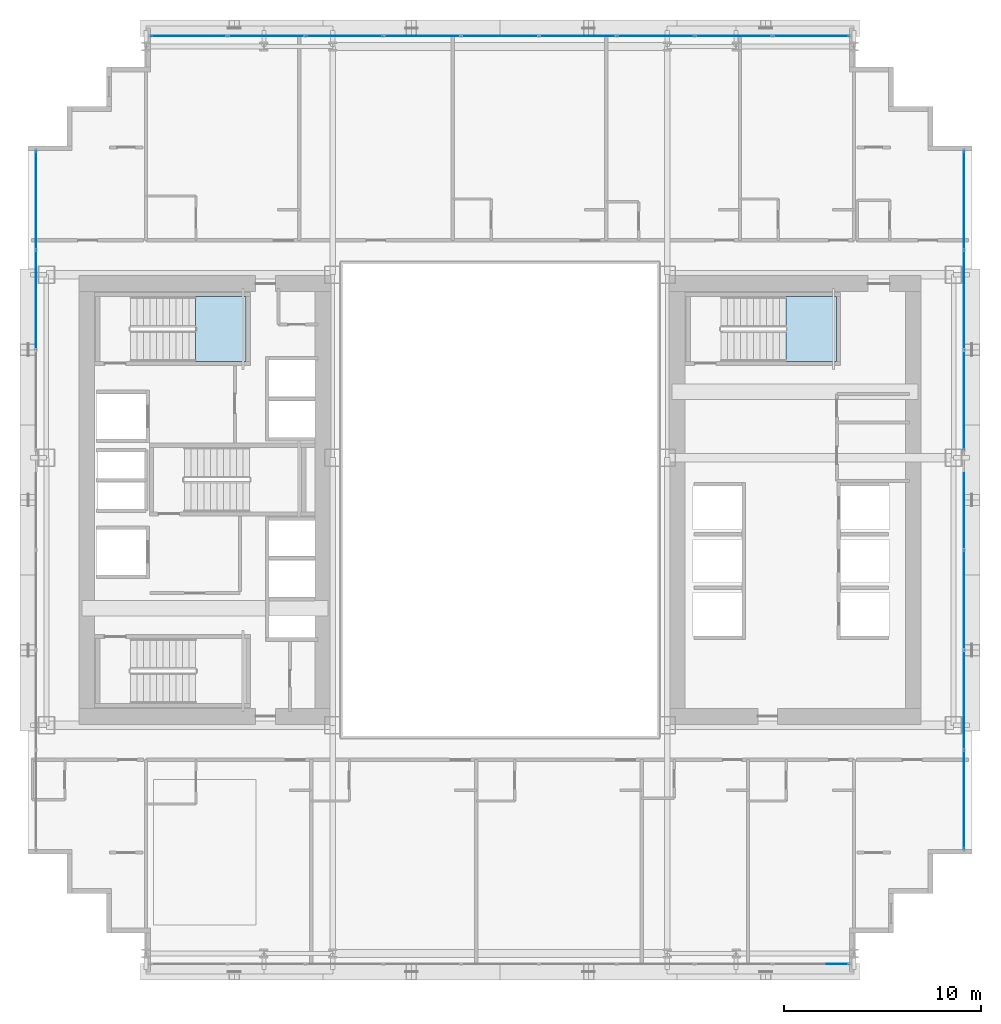
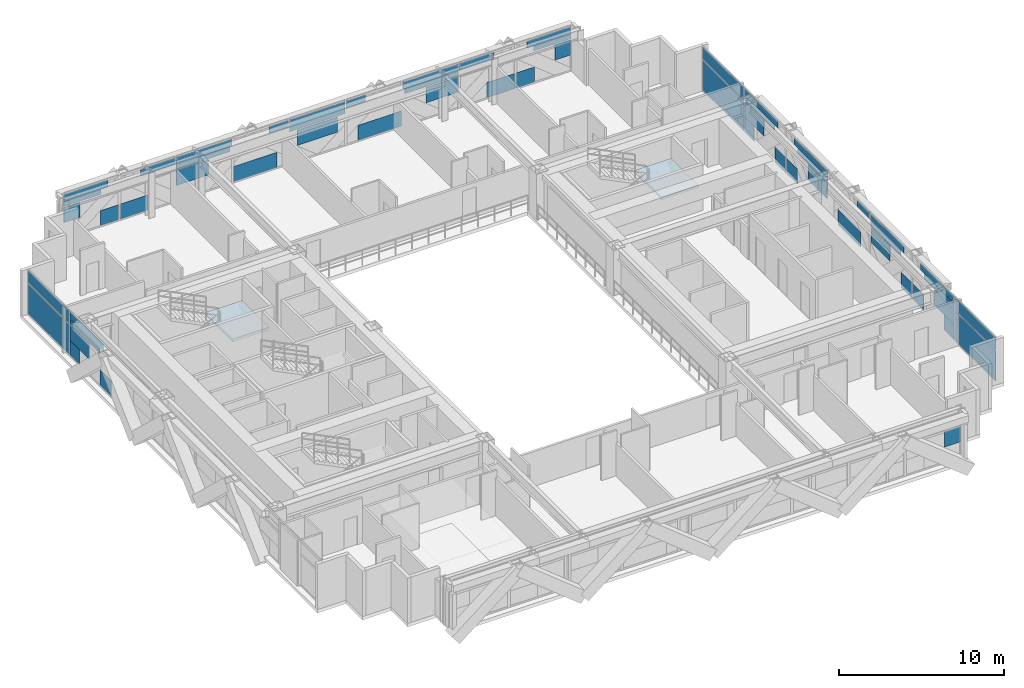
# One storey, part 24 of 35: 56 plates, 2 slabs, 6 elements without a shape of their own.
"""IFC4 building model written with IfcOpenShell, lengths in metres."""

from ifc_helpers import new_model, si_unit, direction, frame, origin, origin_2d, place, context, subcontext, project, spatial, polyline, rectangle, outline, extrude, source, transform, mapped, material, layer, layer_set, type_object, element, aggregate, save


model = new_model("IFC4")

# Units and contexts
model_context = context("Model", 3, precision=1e-05, world=origin(), true_north=direction((0.0, 1.0)))
body_context = subcontext(model_context, "Body", "Model", "MODEL_VIEW")
ifc_project = project(units=[si_unit("LENGTHUNIT", "METRE"), si_unit("AREAUNIT", "SQUARE_METRE"), si_unit("VOLUMEUNIT", "CUBIC_METRE"), si_unit("PLANEANGLEUNIT", "RADIAN"), si_unit("MASSUNIT", "GRAM", prefix="KILO")], contexts=[model_context])

# Site, building, storey
site_placement = place(None, origin())
site = spatial("IfcSite", under=ifc_project, at=site_placement, CompositionType="ELEMENT")
building_placement = place(site_placement, origin())
building = spatial("IfcBuilding", under=site, at=building_placement, Name="Ocotamira Hotel", CompositionType="ELEMENT")
storey_placement = place(building_placement, frame((0.0, 0.0, 63.60009765625)))
storey = spatial("IfcBuildingStorey", under=building, at=storey_placement, Name="L15", CompositionType="ELEMENT", Elevation=63.60009765625)

# Stair, slab
ifc_material_1 = material(Name="Concrete C40/50", Category="concrete")
stair_type = type_object("IfcStairType", Name="ST-CORE-1560", PredefinedType="HALF_TURN_STAIR", material=ifc_material_1)
stair_1_placement = place(storey_placement, origin())
stair_1 = element("IfcStair", 1, at=stair_1_placement, inside=storey, type_object=stair_type, Name="L15 Exit Stair ST-2", PredefinedType="HALF_TURN_STAIR")
ifc_layer_1 = layer(ifc_material_1, 0.199951171875)
ifc_layer_set_1 = layer_set([ifc_layer_1], Name="Concrete C40/50")
slab_type = type_object("IfcSlabType", Name="SLB-LAND-200", PredefinedType="LANDING", material=ifc_layer_set_1)
slab_1_placement = place(storey_placement, frame((0.0, 0.0, 1.599853515625)))
slab_1 = element("IfcSlab", 2, at=slab_1_placement, type_object=slab_type, Name="ST-2 landing 1", PredefinedType="LANDING", context=body_context, shape_type="SweptSolid", body=[
    extrude(outline(polyline([(16.530029296875, 33.050048828125), (19.090087890625, 33.050048828125), (19.090087890625, 36.330078125), (16.530029296875, 36.330078125), (16.530029296875, 33.050048828125)])), origin(), (0.0, 0.0, 1.0), 0.199951171875),
])
aggregate(stair_1, [slab_1])

stair_2_placement = place(storey_placement, origin())
stair_2 = element("IfcStair", 3, at=stair_2_placement, inside=storey, type_object=stair_type, Name="L15 Exit Stair ST-4", PredefinedType="HALF_TURN_STAIR")
slab_2_placement = place(storey_placement, frame((0.0, 0.0, 1.599853515625)))
slab_2 = element("IfcSlab", 4, at=slab_2_placement, type_object=slab_type, Name="ST-4 landing 1", PredefinedType="LANDING", context=body_context, shape_type="SweptSolid", body=[
    extrude(outline(polyline([(46.530029296875, 33.050048828125), (49.090087890625, 33.050048828125), (49.090087890625, 36.330078125), (46.530029296875, 36.330078125), (46.530029296875, 33.050048828125)])), origin(), (0.0, 0.0, 1.0), 0.199951171875),
])
aggregate(stair_2, [slab_2])

# Curtain wall, plate
ifc_material_2 = material(Name="Anodised pale-metal aluminium and solar glass", Category="aluminium")
ifc_layer_2 = layer(ifc_material_2, 0.179931640625)
ifc_layer_set_2 = layer_set([ifc_layer_2], Name="Anodised pale-metal aluminium and solar glass")
curtain_wall_type = type_object("IfcCurtainWallType", Name="CW-SYS2-Z1", PredefinedType="NOTDEFINED", material=ifc_layer_set_2)
curtain_wall_1_placement = place(storey_placement, origin())
curtain_wall_1 = element("IfcCurtainWall", 5, at=curtain_wall_1_placement, inside=storey, type_object=curtain_wall_type, Name="L15 Curtain Wall CW-2 CW-L15-S1", PredefinedType="NOTDEFINED")
ifc_material_3 = material(Name="Double-silver low-E insulated solar glass", Category="glass")
ifc_layer_3 = layer(ifc_material_3, 0.031982421875)
ifc_layer_set_3 = layer_set([ifc_layer_3], Name="Double-silver low-E insulated solar glass")
plate_type = type_object("IfcPlateType", Name="CWP-VISION-32", PredefinedType="CURTAIN_PANEL", material=ifc_layer_set_3)
shared_shape_1 = source(origin(), body_context, "Body", "SweptSolid", [
    extrude(rectangle(XDim=1.11669921875, YDim=0.031982421875, at=origin_2d()), origin(), (0.0, 0.0, 1.0), 1.11865234375),
])
plate_1_placement = place(storey_placement, frame((49.16162109375, 2.419921875, 1.193603515625), z_axis=(0.0, 0.0, 1.0), x_axis=(1.0, 0.0, 0.0)))
plate_1 = element("IfcPlate", 6, at=plate_1_placement, type_object=plate_type, Name="CW-2 panel 9.1.2", PredefinedType="CURTAIN_PANEL", context=body_context, shape_type="MappedRepresentation", body=[
    mapped(shared_shape_1, transform((0.0, 0.0, 0.0), scale=1.0)),
])
aggregate(curtain_wall_1, [plate_1])

# Curtain wall, plates
curtain_wall_2_placement = place(storey_placement, origin())
curtain_wall_2 = element("IfcCurtainWall", 7, at=curtain_wall_2_placement, inside=storey, type_object=curtain_wall_type, Name="L15 Curtain Wall CW-2 CW-L15-N", PredefinedType="NOTDEFINED")
plate_2_placement = place(storey_placement, frame((14.83837890625, 49.580078125, 1.193603515625), z_axis=(0.0, 0.0, 1.0), x_axis=(1.0, 0.0, 0.0)))
plate_2 = element("IfcPlate", 8, at=plate_2_placement, type_object=plate_type, Name="CW-2 panel 1.1.1", PredefinedType="CURTAIN_PANEL", context=body_context, shape_type="MappedRepresentation", body=[
    mapped(shared_shape_1, transform((0.0, 0.0, 0.0), scale=1.0)),
])
plate_3_placement = place(storey_placement, frame((49.16162109375, 49.580078125, 1.193603515625), z_axis=(0.0, 0.0, 1.0), x_axis=(1.0, 0.0, 0.0)))
plate_3 = element("IfcPlate", 9, at=plate_3_placement, type_object=plate_type, Name="CW-2 panel 9.1.2", PredefinedType="CURTAIN_PANEL", context=body_context, shape_type="MappedRepresentation", body=[
    mapped(shared_shape_1, transform((0.0, 0.0, 0.0), scale=1.0)),
])
shared_shape_2 = source(origin(), body_context, "Body", "SweptSolid", [
    extrude(rectangle(XDim=2.60888671875, YDim=0.031982421875, at=origin_2d()), origin(), (0.0, 0.0, 1.0), 0.345458984375),
])
plate_4_placement = place(storey_placement, frame((15.58447265625, 49.580078125, 2.38720703125), z_axis=(0.0, 0.0, 1.0), x_axis=(1.0, 0.0, 0.0)))
plate_4 = element("IfcPlate", 10, at=plate_4_placement, type_object=plate_type, Name="CW-2 panel 1.2.1", PredefinedType="CURTAIN_PANEL", context=body_context, shape_type="MappedRepresentation", body=[
    mapped(shared_shape_2, transform((0.0, 0.0, 0.0), scale=1.0)),
])
plate_5_placement = place(storey_placement, frame((48.41552734375, 49.580078125, 2.38720703125), z_axis=(0.0, 0.0, 1.0), x_axis=(1.0, 0.0, 0.0)))
plate_5 = element("IfcPlate", 11, at=plate_5_placement, type_object=plate_type, Name="CW-2 panel 9.2.2", PredefinedType="CURTAIN_PANEL", context=body_context, shape_type="MappedRepresentation", body=[
    mapped(shared_shape_2, transform((0.0, 0.0, 0.0), scale=1.0)),
])
shared_shape_3 = source(origin(), body_context, "Body", "SweptSolid", [
    extrude(rectangle(XDim=3.079833984375, YDim=0.031982421875, at=origin_2d()), origin(), (0.0, 0.0, 1.0), 0.5107421875),
])
plate_6_placement = place(storey_placement, frame((15.820068359375, 49.580078125, 2.76416015625), z_axis=(0.0, 0.0, 1.0), x_axis=(1.0, 0.0, 0.0)))
plate_6 = element("IfcPlate", 12, at=plate_6_placement, type_object=plate_type, Name="CW-2 panel 1.2.2", PredefinedType="CURTAIN_PANEL", context=body_context, shape_type="MappedRepresentation", body=[
    mapped(shared_shape_3, transform((0.0, 0.0, 0.0), scale=1.0)),
])
plate_7_placement = place(storey_placement, frame((48.179931640625, 49.580078125, 2.76416015625), z_axis=(0.0, 0.0, 1.0), x_axis=(1.0, 0.0, 0.0)))
plate_7 = element("IfcPlate", 13, at=plate_7_placement, type_object=plate_type, Name="CW-2 panel 9.2.1", PredefinedType="CURTAIN_PANEL", context=body_context, shape_type="MappedRepresentation", body=[
    mapped(shared_shape_3, transform((0.0, 0.0, 0.0), scale=1.0)),
])
shared_shape_4 = source(origin(), body_context, "Body", "SweptSolid", [
    extrude(rectangle(XDim=2.430908203125, YDim=0.031982421875, at=origin_2d()), origin(), (0.0, 0.0, 1.0), 0.5107421875),
])
plate_8_placement = place(storey_placement, frame((20.855712890625, 49.580078125, 2.76416015625), z_axis=(0.0, 0.0, 1.0), x_axis=(1.0, 0.0, 0.0)))
plate_8 = element("IfcPlate", 14, at=plate_8_placement, type_object=plate_type, Name="CW-2 panel 2.2.1", PredefinedType="CURTAIN_PANEL", context=body_context, shape_type="MappedRepresentation", body=[
    mapped(shared_shape_4, transform((0.0, 0.0, 0.0), scale=1.0)),
])
plate_9_placement = place(storey_placement, frame((43.144287109375, 49.580078125, 2.76416015625), z_axis=(0.0, 0.0, 1.0), x_axis=(1.0, 0.0, 0.0)))
plate_9 = element("IfcPlate", 15, at=plate_9_placement, type_object=plate_type, Name="CW-2 panel 8.2.1", PredefinedType="CURTAIN_PANEL", context=body_context, shape_type="MappedRepresentation", body=[
    mapped(shared_shape_4, transform((0.0, 0.0, 0.0), scale=1.0)),
])
shared_shape_5 = source(origin(), body_context, "Body", "SweptSolid", [
    extrude(rectangle(XDim=2.24560546875, YDim=0.031982421875, at=origin_2d()), origin(), (0.0, 0.0, 1.0), 1.11865234375),
])
plate_10_placement = place(storey_placement, frame((23.27392578125, 49.580078125, 1.193603515625), z_axis=(0.0, 0.0, 1.0), x_axis=(1.0, 0.0, 0.0)))
plate_10 = element("IfcPlate", 16, at=plate_10_placement, type_object=plate_type, Name="CW-2 panel 3.1.1", PredefinedType="CURTAIN_PANEL", context=body_context, shape_type="MappedRepresentation", body=[
    mapped(shared_shape_5, transform((0.0, 0.0, 0.0), scale=1.0)),
])
plate_11_placement = place(storey_placement, frame((40.72607421875, 49.580078125, 1.193603515625), z_axis=(0.0, 0.0, 1.0), x_axis=(1.0, 0.0, 0.0)))
plate_11 = element("IfcPlate", 17, at=plate_11_placement, type_object=plate_type, Name="CW-2 panel 7.1.1", PredefinedType="CURTAIN_PANEL", context=body_context, shape_type="MappedRepresentation", body=[
    mapped(shared_shape_5, transform((0.0, 0.0, 0.0), scale=1.0)),
])
shared_shape_6 = source(origin(), body_context, "Body", "SweptSolid", [
    extrude(rectangle(XDim=3.73779296875, YDim=0.031982421875, at=origin_2d()), origin(), (0.0, 0.0, 1.0), 0.376708984375),
])
plate_12_placement = place(storey_placement, frame((24.02001953125, 49.580078125, 2.38720703125), z_axis=(0.0, 0.0, 1.0), x_axis=(1.0, 0.0, 0.0)))
plate_12 = element("IfcPlate", 18, at=plate_12_placement, type_object=plate_type, Name="CW-2 panel 3.2.1", PredefinedType="CURTAIN_PANEL", context=body_context, shape_type="MappedRepresentation", body=[
    mapped(shared_shape_6, transform((0.0, 0.0, 0.0), scale=1.0)),
])
plate_13_placement = place(storey_placement, frame((39.97998046875, 49.580078125, 2.38720703125), z_axis=(0.0, 0.0, 1.0), x_axis=(1.0, 0.0, 0.0)))
plate_13 = element("IfcPlate", 19, at=plate_13_placement, type_object=plate_type, Name="CW-2 panel 7.2.2", PredefinedType="CURTAIN_PANEL", context=body_context, shape_type="MappedRepresentation", body=[
    mapped(shared_shape_6, transform((0.0, 0.0, 0.0), scale=1.0)),
])
shared_shape_7 = source(origin(), body_context, "Body", "SweptSolid", [
    extrude(rectangle(XDim=3.87548828125, YDim=0.031982421875, at=origin_2d()), origin(), (0.0, 0.0, 1.0), 0.5107421875),
])
plate_14_placement = place(storey_placement, frame((24.0888671875, 49.580078125, 2.76416015625), z_axis=(0.0, 0.0, 1.0), x_axis=(1.0, 0.0, 0.0)))
plate_14 = element("IfcPlate", 20, at=plate_14_placement, type_object=plate_type, Name="CW-2 panel 3.2.2", PredefinedType="CURTAIN_PANEL", context=body_context, shape_type="MappedRepresentation", body=[
    mapped(shared_shape_7, transform((0.0, 0.0, 0.0), scale=1.0)),
])
plate_15_placement = place(storey_placement, frame((39.9111328125, 49.580078125, 2.76416015625), z_axis=(0.0, 0.0, 1.0), x_axis=(1.0, 0.0, 0.0)))
plate_15 = element("IfcPlate", 21, at=plate_15_placement, type_object=plate_type, Name="CW-2 panel 7.2.1", PredefinedType="CURTAIN_PANEL", context=body_context, shape_type="MappedRepresentation", body=[
    mapped(shared_shape_7, transform((0.0, 0.0, 0.0), scale=1.0)),
])
shared_shape_8 = source(origin(), body_context, "Body", "SweptSolid", [
    extrude(rectangle(XDim=1.34228515625, YDim=0.031982421875, at=origin_2d()), origin(), (0.0, 0.0, 1.0), 0.5107421875),
])
plate_16_placement = place(storey_placement, frame((29.31103515625, 49.580078125, 2.76416015625), z_axis=(0.0, 0.0, 1.0), x_axis=(1.0, 0.0, 0.0)))
plate_16 = element("IfcPlate", 22, at=plate_16_placement, type_object=plate_type, Name="CW-2 panel 4.2.1", PredefinedType="CURTAIN_PANEL", context=body_context, shape_type="MappedRepresentation", body=[
    mapped(shared_shape_8, transform((0.0, 0.0, 0.0), scale=1.0)),
])
plate_17_placement = place(storey_placement, frame((34.68896484375, 49.580078125, 2.76416015625), z_axis=(0.0, 0.0, 1.0), x_axis=(1.0, 0.0, 0.0)))
plate_17 = element("IfcPlate", 23, at=plate_17_placement, type_object=plate_type, Name="CW-2 panel 6.2.1", PredefinedType="CURTAIN_PANEL", context=body_context, shape_type="MappedRepresentation", body=[
    mapped(shared_shape_8, transform((0.0, 0.0, 0.0), scale=1.0)),
])
shared_shape_9 = source(origin(), body_context, "Body", "SweptSolid", [
    extrude(rectangle(XDim=2.793701171875, YDim=0.031982421875, at=origin_2d()), origin(), (0.0, 0.0, 1.0), 1.11865234375),
])
plate_18_placement = place(storey_placement, frame((32.0, 49.580078125, 1.193603515625), z_axis=(0.0, 0.0, 1.0), x_axis=(1.0, 0.0, 0.0)))
plate_18 = element("IfcPlate", 24, at=plate_18_placement, type_object=plate_type, Name="CW-2 panel 5.1.1", PredefinedType="CURTAIN_PANEL", context=body_context, shape_type="MappedRepresentation", body=[
    mapped(shared_shape_9, transform((0.0, 0.0, 0.0), scale=1.0)),
])
shared_shape_10 = source(origin(), body_context, "Body", "SweptSolid", [
    extrude(rectangle(XDim=3.87548828125, YDim=0.031982421875, at=origin_2d()), origin(), (0.0, 0.0, 1.0), 0.887451171875),
])
plate_19_placement = place(storey_placement, frame((32.0, 49.580078125, 2.38720703125), z_axis=(0.0, 0.0, 1.0), x_axis=(1.0, 0.0, 0.0)))
plate_19 = element("IfcPlate", 25, at=plate_19_placement, type_object=plate_type, Name="CW-2 panel 5.2", PredefinedType="CURTAIN_PANEL", context=body_context, shape_type="MappedRepresentation", body=[
    mapped(shared_shape_10, transform((0.0, 0.0, 0.0), scale=1.0)),
])

# Curtain wall, plate
curtain_wall_3_placement = place(storey_placement, origin())
curtain_wall_3 = element("IfcCurtainWall", 26, at=curtain_wall_3_placement, inside=storey, type_object=curtain_wall_type, Name="L15 Curtain Wall CW-2 CW-L15-W", PredefinedType="NOTDEFINED")
shared_shape_11 = source(origin(), body_context, "Body", "SweptSolid", [
    extrude(rectangle(XDim=4.9658203125, YDim=0.031982421875, at=origin_2d()), origin(), (0.0, 0.0, 1.0), 2.237548828125),
])
plate_20_placement = place(storey_placement, frame((8.419921875, 41.237060546875, 0.07470703125), z_axis=(0.0, 0.0, 1.0), x_axis=(0.0, 1.0, 0.0)))
plate_20 = element("IfcPlate", 27, at=plate_20_placement, type_object=plate_type, Name="CW-2 panel 7.1", PredefinedType="CURTAIN_PANEL", context=body_context, shape_type="MappedRepresentation", body=[
    mapped(shared_shape_11, transform((0.0, 0.0, 0.0), scale=1.0)),
])

# Curtain wall, plates
curtain_wall_4_placement = place(storey_placement, origin())
curtain_wall_4 = element("IfcCurtainWall", 28, at=curtain_wall_4_placement, inside=storey, type_object=curtain_wall_type, Name="L15 Curtain Wall CW-2 CW-L15-E", PredefinedType="NOTDEFINED")
plate_21_placement = place(storey_placement, frame((55.580078125, 10.762939453125, 0.07470703125), z_axis=(0.0, 0.0, 1.0), x_axis=(0.0, 1.0, 0.0)))
plate_21 = element("IfcPlate", 29, at=plate_21_placement, type_object=plate_type, Name="CW-2 panel 1.1", PredefinedType="CURTAIN_PANEL", context=body_context, shape_type="MappedRepresentation", body=[
    mapped(shared_shape_11, transform((0.0, 0.0, 0.0), scale=1.0)),
])
plate_22_placement = place(storey_placement, frame((55.580078125, 41.237060546875, 0.07470703125), z_axis=(0.0, 0.0, 1.0), x_axis=(0.0, 1.0, 0.0)))
plate_22 = element("IfcPlate", 30, at=plate_22_placement, type_object=plate_type, Name="CW-2 panel 7.1", PredefinedType="CURTAIN_PANEL", context=body_context, shape_type="MappedRepresentation", body=[
    mapped(shared_shape_11, transform((0.0, 0.0, 0.0), scale=1.0)),
])

# Plate
shared_shape_12 = source(origin(), body_context, "Body", "SweptSolid", [
    extrude(rectangle(XDim=4.9658203125, YDim=0.031982421875, at=origin_2d()), origin(), (0.0, 0.0, 1.0), 0.887451171875),
])
plate_23_placement = place(storey_placement, frame((8.419921875, 41.237060546875, 2.38720703125), z_axis=(0.0, 0.0, 1.0), x_axis=(0.0, 1.0, 0.0)))
plate_23 = element("IfcPlate", 31, at=plate_23_placement, type_object=plate_type, Name="CW-2 panel 7.2", PredefinedType="CURTAIN_PANEL", context=body_context, shape_type="MappedRepresentation", body=[
    mapped(shared_shape_12, transform((0.0, 0.0, 0.0), scale=1.0)),
])

plate_24_placement = place(storey_placement, frame((55.580078125, 10.762939453125, 2.38720703125), z_axis=(0.0, 0.0, 1.0), x_axis=(0.0, 1.0, 0.0)))
plate_24 = element("IfcPlate", 32, at=plate_24_placement, type_object=plate_type, Name="CW-2 panel 1.2", PredefinedType="CURTAIN_PANEL", context=body_context, shape_type="MappedRepresentation", body=[
    mapped(shared_shape_12, transform((0.0, 0.0, 0.0), scale=1.0)),
])

plate_25_placement = place(storey_placement, frame((55.580078125, 41.237060546875, 2.38720703125), z_axis=(0.0, 0.0, 1.0), x_axis=(0.0, 1.0, 0.0)))
plate_25 = element("IfcPlate", 33, at=plate_25_placement, type_object=plate_type, Name="CW-2 panel 7.2", PredefinedType="CURTAIN_PANEL", context=body_context, shape_type="MappedRepresentation", body=[
    mapped(shared_shape_12, transform((0.0, 0.0, 0.0), scale=1.0)),
])

shared_shape_13 = source(origin(), body_context, "Body", "SweptSolid", [
    extrude(rectangle(XDim=2.364013671875, YDim=0.031982421875, at=origin_2d()), origin(), (0.0, 0.0, 1.0), 1.11865234375),
])
plate_26_placement = place(storey_placement, frame((8.419921875, 37.4921875, 1.193603515625), z_axis=(0.0, 0.0, 1.0), x_axis=(0.0, 1.0, 0.0)))
plate_26 = element("IfcPlate", 34, at=plate_26_placement, type_object=plate_type, Name="CW-2 panel 6.1.2", PredefinedType="CURTAIN_PANEL", context=body_context, shape_type="MappedRepresentation", body=[
    mapped(shared_shape_13, transform((0.0, 0.0, 0.0), scale=1.0)),
])

plate_27_placement = place(storey_placement, frame((55.580078125, 14.5078125, 1.193603515625), z_axis=(0.0, 0.0, 1.0), x_axis=(0.0, 1.0, 0.0)))
plate_27 = element("IfcPlate", 35, at=plate_27_placement, type_object=plate_type, Name="CW-2 panel 2.1.2", PredefinedType="CURTAIN_PANEL", context=body_context, shape_type="MappedRepresentation", body=[
    mapped(shared_shape_13, transform((0.0, 0.0, 0.0), scale=1.0)),
])

plate_28_placement = place(storey_placement, frame((55.580078125, 37.4921875, 1.193603515625), z_axis=(0.0, 0.0, 1.0), x_axis=(0.0, 1.0, 0.0)))
plate_28 = element("IfcPlate", 36, at=plate_28_placement, type_object=plate_type, Name="CW-2 panel 6.1.2", PredefinedType="CURTAIN_PANEL", context=body_context, shape_type="MappedRepresentation", body=[
    mapped(shared_shape_13, transform((0.0, 0.0, 0.0), scale=1.0)),
])

shared_shape_14 = source(origin(), body_context, "Body", "SweptSolid", [
    extrude(rectangle(XDim=3.629638671875, YDim=0.031982421875, at=origin_2d()), origin(), (0.0, 0.0, 1.0), 0.367919921875),
])
plate_29_placement = place(storey_placement, frame((8.419921875, 36.859375, 2.38720703125), z_axis=(0.0, 0.0, 1.0), x_axis=(0.0, 1.0, 0.0)))
plate_29 = element("IfcPlate", 37, at=plate_29_placement, type_object=plate_type, Name="CW-2 panel 6.2.2", PredefinedType="CURTAIN_PANEL", context=body_context, shape_type="MappedRepresentation", body=[
    mapped(shared_shape_14, transform((0.0, 0.0, 0.0), scale=1.0)),
])

plate_30_placement = place(storey_placement, frame((55.580078125, 15.140625, 2.38720703125), z_axis=(0.0, 0.0, 1.0), x_axis=(0.0, 1.0, 0.0)))
plate_30 = element("IfcPlate", 38, at=plate_30_placement, type_object=plate_type, Name="CW-2 panel 2.2.1", PredefinedType="CURTAIN_PANEL", context=body_context, shape_type="MappedRepresentation", body=[
    mapped(shared_shape_14, transform((0.0, 0.0, 0.0), scale=1.0)),
])

plate_31_placement = place(storey_placement, frame((55.580078125, 36.859375, 2.38720703125), z_axis=(0.0, 0.0, 1.0), x_axis=(0.0, 1.0, 0.0)))
plate_31 = element("IfcPlate", 39, at=plate_31_placement, type_object=plate_type, Name="CW-2 panel 6.2.2", PredefinedType="CURTAIN_PANEL", context=body_context, shape_type="MappedRepresentation", body=[
    mapped(shared_shape_14, transform((0.0, 0.0, 0.0), scale=1.0)),
])

shared_shape_15 = source(origin(), body_context, "Body", "SweptSolid", [
    extrude(rectangle(XDim=4.05615234375, YDim=0.031982421875, at=origin_2d()), origin(), (0.0, 0.0, 1.0), 0.485107421875),
])
plate_32_placement = place(storey_placement, frame((8.419921875, 36.646240234375, 2.78955078125), z_axis=(0.0, 0.0, 1.0), x_axis=(0.0, 1.0, 0.0)))
plate_32 = element("IfcPlate", 40, at=plate_32_placement, type_object=plate_type, Name="CW-2 panel 6.2.1", PredefinedType="CURTAIN_PANEL", context=body_context, shape_type="MappedRepresentation", body=[
    mapped(shared_shape_15, transform((0.0, 0.0, 0.0), scale=1.0)),
])

plate_33_placement = place(storey_placement, frame((55.580078125, 15.353759765625, 2.78955078125), z_axis=(0.0, 0.0, 1.0), x_axis=(0.0, 1.0, 0.0)))
plate_33 = element("IfcPlate", 41, at=plate_33_placement, type_object=plate_type, Name="CW-2 panel 2.2.2", PredefinedType="CURTAIN_PANEL", context=body_context, shape_type="MappedRepresentation", body=[
    mapped(shared_shape_15, transform((0.0, 0.0, 0.0), scale=1.0)),
])

plate_34_placement = place(storey_placement, frame((55.580078125, 36.646240234375, 2.78955078125), z_axis=(0.0, 0.0, 1.0), x_axis=(0.0, 1.0, 0.0)))
plate_34 = element("IfcPlate", 42, at=plate_34_placement, type_object=plate_type, Name="CW-2 panel 6.2.1", PredefinedType="CURTAIN_PANEL", context=body_context, shape_type="MappedRepresentation", body=[
    mapped(shared_shape_15, transform((0.0, 0.0, 0.0), scale=1.0)),
])

shared_shape_16 = source(origin(), body_context, "Body", "SweptSolid", [
    extrude(rectangle(XDim=2.27978515625, YDim=0.031982421875, at=origin_2d()), origin(), (0.0, 0.0, 1.0), 1.11865234375),
])
plate_35_placement = place(storey_placement, frame((55.580078125, 22.183349609375, 1.193603515625), z_axis=(0.0, 0.0, 1.0), x_axis=(0.0, 1.0, 0.0)))
plate_35 = element("IfcPlate", 43, at=plate_35_placement, type_object=plate_type, Name="CW-2 panel 3.1.2", PredefinedType="CURTAIN_PANEL", context=body_context, shape_type="MappedRepresentation", body=[
    mapped(shared_shape_16, transform((0.0, 0.0, 0.0), scale=1.0)),
])

plate_36_placement = place(storey_placement, frame((55.580078125, 29.816650390625, 1.193603515625), z_axis=(0.0, 0.0, 1.0), x_axis=(0.0, 1.0, 0.0)))
plate_36 = element("IfcPlate", 44, at=plate_36_placement, type_object=plate_type, Name="CW-2 panel 5.1.1", PredefinedType="CURTAIN_PANEL", context=body_context, shape_type="MappedRepresentation", body=[
    mapped(shared_shape_16, transform((0.0, 0.0, 0.0), scale=1.0)),
])

shared_shape_17 = source(origin(), body_context, "Body", "SweptSolid", [
    extrude(rectangle(XDim=4.06591796875, YDim=0.031982421875, at=origin_2d()), origin(), (0.0, 0.0, 1.0), 0.485107421875),
])
plate_37_placement = place(storey_placement, frame((55.580078125, 21.38427734375, 2.78955078125), z_axis=(0.0, 0.0, 1.0), x_axis=(0.0, 1.0, 0.0)))
plate_37 = element("IfcPlate", 45, at=plate_37_placement, type_object=plate_type, Name="CW-2 panel 3.2.1", PredefinedType="CURTAIN_PANEL", context=body_context, shape_type="MappedRepresentation", body=[
    mapped(shared_shape_17, transform((0.0, 0.0, 0.0), scale=1.0)),
])

plate_38_placement = place(storey_placement, frame((55.580078125, 30.61572265625, 2.78955078125), z_axis=(0.0, 0.0, 1.0), x_axis=(0.0, 1.0, 0.0)))
plate_38 = element("IfcPlate", 46, at=plate_38_placement, type_object=plate_type, Name="CW-2 panel 5.2.2", PredefinedType="CURTAIN_PANEL", context=body_context, shape_type="MappedRepresentation", body=[
    mapped(shared_shape_17, transform((0.0, 0.0, 0.0), scale=1.0)),
])

shared_shape_18 = source(origin(), body_context, "Body", "SweptSolid", [
    extrude(rectangle(XDim=3.639404296875, YDim=0.031982421875, at=origin_2d()), origin(), (0.0, 0.0, 1.0), 0.367919921875),
])
plate_39_placement = place(storey_placement, frame((55.580078125, 21.597412109375, 2.38720703125), z_axis=(0.0, 0.0, 1.0), x_axis=(0.0, 1.0, 0.0)))
plate_39 = element("IfcPlate", 47, at=plate_39_placement, type_object=plate_type, Name="CW-2 panel 3.2.2", PredefinedType="CURTAIN_PANEL", context=body_context, shape_type="MappedRepresentation", body=[
    mapped(shared_shape_18, transform((0.0, 0.0, 0.0), scale=1.0)),
])

plate_40_placement = place(storey_placement, frame((55.580078125, 30.402587890625, 2.38720703125), z_axis=(0.0, 0.0, 1.0), x_axis=(0.0, 1.0, 0.0)))
plate_40 = element("IfcPlate", 48, at=plate_40_placement, type_object=plate_type, Name="CW-2 panel 5.2.1", PredefinedType="CURTAIN_PANEL", context=body_context, shape_type="MappedRepresentation", body=[
    mapped(shared_shape_18, transform((0.0, 0.0, 0.0), scale=1.0)),
])

shared_shape_19 = source(origin(), body_context, "Body", "SweptSolid", [
    extrude(rectangle(XDim=1.518310546875, YDim=0.031982421875, at=origin_2d()), origin(), (0.0, 0.0, 1.0), 0.485107421875),
])
plate_41_placement = place(storey_placement, frame((55.580078125, 24.256103515625, 2.78955078125), z_axis=(0.0, 0.0, 1.0), x_axis=(0.0, 1.0, 0.0)))
plate_41 = element("IfcPlate", 49, at=plate_41_placement, type_object=plate_type, Name="CW-2 panel 4.2.1", PredefinedType="CURTAIN_PANEL", context=body_context, shape_type="MappedRepresentation", body=[
    mapped(shared_shape_19, transform((0.0, 0.0, 0.0), scale=1.0)),
])

shared_shape_20 = source(origin(), body_context, "Body", "SweptSolid", [
    extrude(rectangle(XDim=1.278076171875, YDim=0.031982421875, at=origin_2d()), origin(), (0.0, 0.0, 1.0), 1.118896484375),
])
plate_42_placement = place(storey_placement, frame((17.4765625, 49.580078125, 0.07470703125), z_axis=(0.0, 0.0, 1.0), x_axis=(1.0, 0.0, 0.0)))
plate_42 = element("IfcPlate", 50, at=plate_42_placement, type_object=plate_type, Name="CW-2 panel 1.1.2", PredefinedType="CURTAIN_PANEL", context=body_context, shape_type="MappedRepresentation", body=[
    mapped(shared_shape_20, transform((0.0, 0.0, 0.0), scale=1.0)),
])

plate_43_placement = place(storey_placement, frame((46.5234375, 49.580078125, 0.07470703125), z_axis=(0.0, 0.0, 1.0), x_axis=(1.0, 0.0, 0.0)))
plate_43 = element("IfcPlate", 51, at=plate_43_placement, type_object=plate_type, Name="CW-2 panel 9.1.1", PredefinedType="CURTAIN_PANEL", context=body_context, shape_type="MappedRepresentation", body=[
    mapped(shared_shape_20, transform((0.0, 0.0, 0.0), scale=1.0)),
])

shared_shape_21 = source(origin(), body_context, "Body", "SweptSolid", [
    extrude(rectangle(XDim=1.966796875, YDim=0.031982421875, at=origin_2d()), origin(), (0.0, 0.0, 1.0), 1.118896484375),
])
plate_44_placement = place(storey_placement, frame((19.178955078125, 49.580078125, 0.07470703125), z_axis=(0.0, 0.0, 1.0), x_axis=(1.0, 0.0, 0.0)))
plate_44 = element("IfcPlate", 52, at=plate_44_placement, type_object=plate_type, Name="CW-2 panel 2.1.1", PredefinedType="CURTAIN_PANEL", context=body_context, shape_type="MappedRepresentation", body=[
    mapped(shared_shape_21, transform((0.0, 0.0, 0.0), scale=1.0)),
])

plate_45_placement = place(storey_placement, frame((44.821044921875, 49.580078125, 0.07470703125), z_axis=(0.0, 0.0, 1.0), x_axis=(1.0, 0.0, 0.0)))
plate_45 = element("IfcPlate", 53, at=plate_45_placement, type_object=plate_type, Name="CW-2 panel 8.1.1", PredefinedType="CURTAIN_PANEL", context=body_context, shape_type="MappedRepresentation", body=[
    mapped(shared_shape_21, transform((0.0, 0.0, 0.0), scale=1.0)),
])

shared_shape_22 = source(origin(), body_context, "Body", "SweptSolid", [
    extrude(rectangle(XDim=3.055908203125, YDim=0.031982421875, at=origin_2d()), origin(), (0.0, 0.0, 1.0), 1.118896484375),
])
plate_46_placement = place(storey_placement, frame((27.634521484375, 49.580078125, 0.07470703125), z_axis=(0.0, 0.0, 1.0), x_axis=(1.0, 0.0, 0.0)))
plate_46 = element("IfcPlate", 54, at=plate_46_placement, type_object=plate_type, Name="CW-2 panel 4.1.1", PredefinedType="CURTAIN_PANEL", context=body_context, shape_type="MappedRepresentation", body=[
    mapped(shared_shape_22, transform((0.0, 0.0, 0.0), scale=1.0)),
])

plate_47_placement = place(storey_placement, frame((36.365478515625, 49.580078125, 0.07470703125), z_axis=(0.0, 0.0, 1.0), x_axis=(1.0, 0.0, 0.0)))
plate_47 = element("IfcPlate", 55, at=plate_47_placement, type_object=plate_type, Name="CW-2 panel 6.1.1", PredefinedType="CURTAIN_PANEL", context=body_context, shape_type="MappedRepresentation", body=[
    mapped(shared_shape_22, transform((0.0, 0.0, 0.0), scale=1.0)),
])

aggregate(curtain_wall_2, [plate_2, plate_42, plate_4, plate_6, plate_44, plate_8, plate_10, plate_12, plate_14, plate_46, plate_16, plate_18, plate_19, plate_47, plate_17, plate_11, plate_15, plate_13, plate_45, plate_9, plate_43, plate_3, plate_7, plate_5])

shared_shape_23 = source(origin(), body_context, "Body", "SweptSolid", [
    extrude(rectangle(XDim=1.177978515625, YDim=0.031982421875, at=origin_2d()), origin(), (0.0, 0.0, 1.0), 1.118896484375),
])
plate_48_placement = place(storey_placement, frame((8.419921875, 38.085205078125, 0.07470703125), z_axis=(0.0, 0.0, 1.0), x_axis=(0.0, 1.0, 0.0)))
plate_48 = element("IfcPlate", 56, at=plate_48_placement, type_object=plate_type, Name="CW-2 panel 6.1.3", PredefinedType="CURTAIN_PANEL", context=body_context, shape_type="MappedRepresentation", body=[
    mapped(shared_shape_23, transform((0.0, 0.0, 0.0), scale=1.0)),
])

plate_49_placement = place(storey_placement, frame((55.580078125, 13.914794921875, 0.07470703125), z_axis=(0.0, 0.0, 1.0), x_axis=(0.0, 1.0, 0.0)))
plate_49 = element("IfcPlate", 57, at=plate_49_placement, type_object=plate_type, Name="CW-2 panel 2.1.1", PredefinedType="CURTAIN_PANEL", context=body_context, shape_type="MappedRepresentation", body=[
    mapped(shared_shape_23, transform((0.0, 0.0, 0.0), scale=1.0)),
])

plate_50_placement = place(storey_placement, frame((55.580078125, 38.085205078125, 0.07470703125), z_axis=(0.0, 0.0, 1.0), x_axis=(0.0, 1.0, 0.0)))
plate_50 = element("IfcPlate", 58, at=plate_50_placement, type_object=plate_type, Name="CW-2 panel 6.1.3", PredefinedType="CURTAIN_PANEL", context=body_context, shape_type="MappedRepresentation", body=[
    mapped(shared_shape_23, transform((0.0, 0.0, 0.0), scale=1.0)),
])

shared_shape_24 = source(origin(), body_context, "Body", "SweptSolid", [
    extrude(rectangle(XDim=1.330078125, YDim=0.031982421875, at=origin_2d()), origin(), (0.0, 0.0, 1.0), 1.118896484375),
])
plate_51_placement = place(storey_placement, frame((8.419921875, 34.33349609375, 0.07470703125), z_axis=(0.0, 0.0, 1.0), x_axis=(0.0, 1.0, 0.0)))
plate_51 = element("IfcPlate", 59, at=plate_51_placement, type_object=plate_type, Name="CW-2 panel 6.1.1", PredefinedType="CURTAIN_PANEL", context=body_context, shape_type="MappedRepresentation", body=[
    mapped(shared_shape_24, transform((0.0, 0.0, 0.0), scale=1.0)),
])

aggregate(curtain_wall_3, [plate_51, plate_26, plate_48, plate_32, plate_29, plate_20, plate_23])

plate_52_placement = place(storey_placement, frame((55.580078125, 17.66650390625, 0.07470703125), z_axis=(0.0, 0.0, 1.0), x_axis=(0.0, 1.0, 0.0)))
plate_52 = element("IfcPlate", 60, at=plate_52_placement, type_object=plate_type, Name="CW-2 panel 2.1.3", PredefinedType="CURTAIN_PANEL", context=body_context, shape_type="MappedRepresentation", body=[
    mapped(shared_shape_24, transform((0.0, 0.0, 0.0), scale=1.0)),
])

plate_53_placement = place(storey_placement, frame((55.580078125, 34.33349609375, 0.07470703125), z_axis=(0.0, 0.0, 1.0), x_axis=(0.0, 1.0, 0.0)))
plate_53 = element("IfcPlate", 61, at=plate_53_placement, type_object=plate_type, Name="CW-2 panel 6.1.1", PredefinedType="CURTAIN_PANEL", context=body_context, shape_type="MappedRepresentation", body=[
    mapped(shared_shape_24, transform((0.0, 0.0, 0.0), scale=1.0)),
])

shared_shape_25 = source(origin(), body_context, "Body", "SweptSolid", [
    extrude(rectangle(XDim=1.3203125, YDim=0.031982421875, at=origin_2d()), origin(), (0.0, 0.0, 1.0), 1.118896484375),
])
plate_54_placement = place(storey_placement, frame((55.580078125, 19.071533203125, 0.07470703125), z_axis=(0.0, 0.0, 1.0), x_axis=(0.0, 1.0, 0.0)))
plate_54 = element("IfcPlate", 62, at=plate_54_placement, type_object=plate_type, Name="CW-2 panel 3.1.1", PredefinedType="CURTAIN_PANEL", context=body_context, shape_type="MappedRepresentation", body=[
    mapped(shared_shape_25, transform((0.0, 0.0, 0.0), scale=1.0)),
])

plate_55_placement = place(storey_placement, frame((55.580078125, 32.928466796875, 0.07470703125), z_axis=(0.0, 0.0, 1.0), x_axis=(0.0, 1.0, 0.0)))
plate_55 = element("IfcPlate", 63, at=plate_55_placement, type_object=plate_type, Name="CW-2 panel 5.1.2", PredefinedType="CURTAIN_PANEL", context=body_context, shape_type="MappedRepresentation", body=[
    mapped(shared_shape_25, transform((0.0, 0.0, 0.0), scale=1.0)),
])

shared_shape_26 = source(origin(), body_context, "Body", "SweptSolid", [
    extrude(rectangle(XDim=2.730224609375, YDim=0.031982421875, at=origin_2d()), origin(), (0.0, 0.0, 1.0), 1.118896484375),
])
plate_56_placement = place(storey_placement, frame((55.580078125, 26.0, 0.07470703125), z_axis=(0.0, 0.0, 1.0), x_axis=(0.0, 1.0, 0.0)))
plate_56 = element("IfcPlate", 64, at=plate_56_placement, type_object=plate_type, Name="CW-2 panel 4.1.1", PredefinedType="CURTAIN_PANEL", context=body_context, shape_type="MappedRepresentation", body=[
    mapped(shared_shape_26, transform((0.0, 0.0, 0.0), scale=1.0)),
])

aggregate(curtain_wall_4, [plate_21, plate_24, plate_49, plate_27, plate_52, plate_30, plate_33, plate_54, plate_35, plate_37, plate_39, plate_56, plate_41, plate_36, plate_55, plate_40, plate_38, plate_53, plate_28, plate_50, plate_34, plate_31, plate_22, plate_25])

save(model, "model.ifc")
